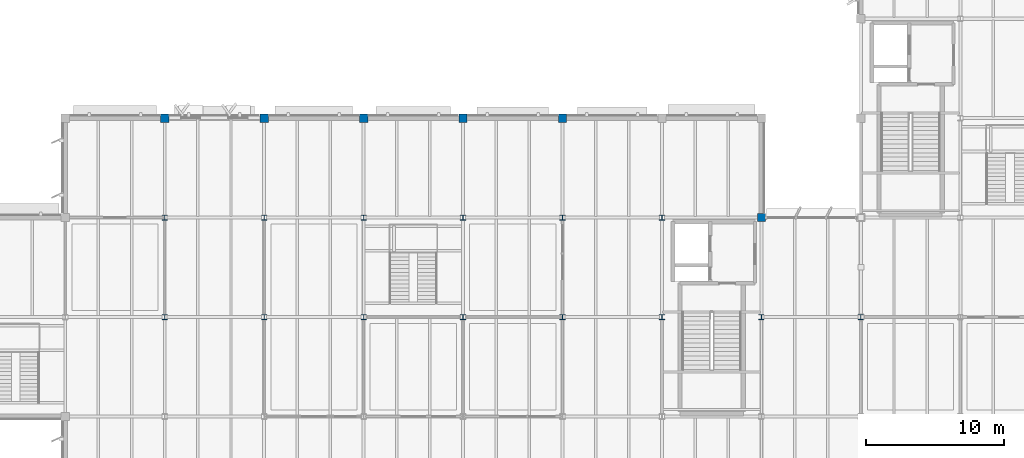
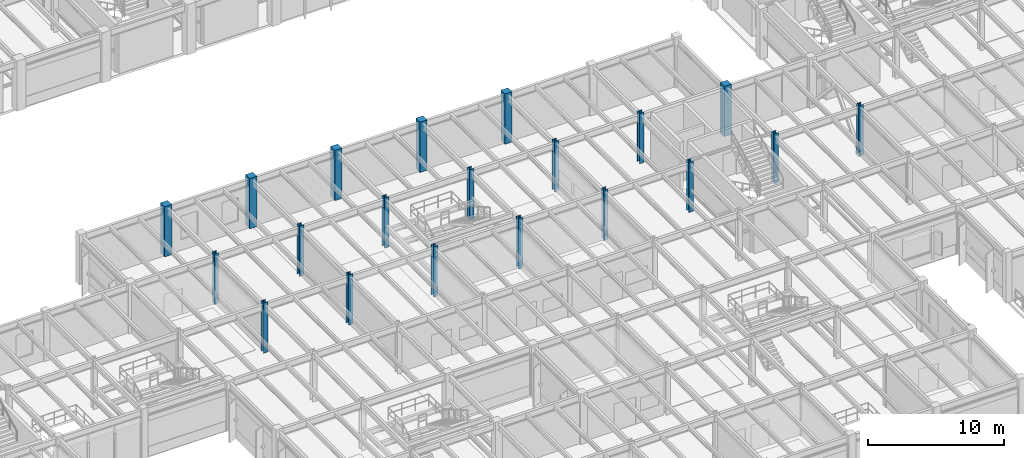
# One storey, part 7 of 92: 20 columns.
"""IFC4 building model written with IfcOpenShell, lengths in metres."""

from ifc_helpers import new_model, si_unit, direction, frame, origin, origin_2d, place, context, subcontext, project, spatial, rectangle, i_section, extrude, material, material_profile, profile_set, type_object, element, save


model = new_model("IFC4")

# Units and contexts
model_context = context("Model", 3, precision=1e-05, world=origin(), true_north=direction((0.0, 1.0)))
body_context = subcontext(model_context, "Body", "Model", "MODEL_VIEW")
ifc_project = project(units=[si_unit("LENGTHUNIT", "METRE"), si_unit("AREAUNIT", "SQUARE_METRE"), si_unit("VOLUMEUNIT", "CUBIC_METRE"), si_unit("PLANEANGLEUNIT", "RADIAN"), si_unit("MASSUNIT", "GRAM", prefix="KILO")], contexts=[model_context])

# Site, building, storey
site_placement = place(None, origin())
site = spatial("IfcSite", under=ifc_project, at=site_placement, CompositionType="ELEMENT")
building_placement = place(site_placement, origin())
building = spatial("IfcBuilding", under=site, at=building_placement, Name="Sillqori Civic Hall", CompositionType="ELEMENT")
storey_placement = place(building_placement, frame((0.0, 0.0, 5.39990234375)))
storey = spatial("IfcBuildingStorey", under=building, at=storey_placement, Name="L02", CompositionType="ELEMENT", Elevation=5.39990234375)

# Columns
ifc_material_1 = material(Name="Concrete C35/45 (H35)", Category="concrete")
ifc_material_profile_1 = material_profile(ifc_material_1, rectangle(XDim=0.60009765625, YDim=0.60009765625, at=origin_2d()), Name="RC 600x600")
ifc_profile_set_1 = profile_set([ifc_material_profile_1], Name="Concrete C35/45 (H35)")
column_type_1 = type_object("IfcColumnType", Name="COL-RC600", PredefinedType="COLUMN", material=ifc_profile_set_1)
for number, where, z_axis, x_axis, name in (
    (1, (72.0, 57.60009765625, 0.0), (0.0, 0.0, 1.0), (1.0, 0.0, 0.0), "L02 column 10-8"),
    (2, (79.199951171875, 57.60009765625, 0.0), (0.0, 0.0, 1.0), (1.0, 0.0, 0.0), "L02 column 11-8"),
    (3, (86.39990234375, 57.60009765625, 0.0), (0.0, 0.0, 1.0), (1.0, 0.0, 0.0), "L02 column 12-8"),
    (4, (93.60009765625, 57.60009765625, 0.0), (0.0, 0.0, 1.0), (1.0, 0.0, 0.0), "L02 column 13-8"),
    (5, (100.800048828125, 57.60009765625, 0.0), (0.0, 0.0, 1.0), (1.0, 0.0, 0.0), "L02 column 14-8"),
    (6, (115.199951171875, 50.39990234375, 0.0), (0.0, 0.0, 1.0), (1.0, 0.0, 0.0), "L02 column 16-7"),
):
    element("IfcColumn", number, at=place(storey_placement, frame(where, z_axis=z_axis, x_axis=x_axis)), inside=storey, type_object=column_type_1, Name=name, PredefinedType="COLUMN", context=body_context, shape_type="SweptSolid", body=[
        extrude(rectangle(XDim=0.60009765625, YDim=0.60009765625, at=origin_2d()), origin(), (0.0, 0.0, 1.0), 4.5),
    ])
ifc_material_2 = material(Name="Steel ASTM A992", Category="steel")
ifc_material_profile_2 = material_profile(ifc_material_2, i_section(OverallWidth=0.373046875, OverallDepth=0.367919921875, WebThickness=0.014892578125, FlangeThickness=0.02392578125, FilletRadius=0.014892578125, at=origin_2d()), Name="W14X120")
ifc_profile_set_2 = profile_set([ifc_material_profile_2], Name="Steel ASTM A992")
column_type_2 = type_object("IfcColumnType", Name="COL-W14X120", PredefinedType="COLUMN", material=ifc_profile_set_2)
for number, where, z_axis, x_axis, name in (
    (7, (72.0, 43.199951171875, 0.0), (0.0, 0.0, 1.0), (1.0, 0.0, 0.0), "L02 column 10-6"),
    (8, (72.0, 50.39990234375, 0.0), (0.0, 0.0, 1.0), (1.0, 0.0, 0.0), "L02 column 10-7"),
    (9, (79.199951171875, 43.199951171875, 0.0), (0.0, 0.0, 1.0), (1.0, 0.0, 0.0), "L02 column 11-6"),
    (10, (79.199951171875, 50.39990234375, 0.0), (0.0, 0.0, 1.0), (1.0, 0.0, 0.0), "L02 column 11-7"),
    (11, (86.39990234375, 43.199951171875, 0.0), (0.0, 0.0, 1.0), (1.0, 0.0, 0.0), "L02 column 12-6"),
    (12, (86.39990234375, 50.39990234375, 0.0), (0.0, 0.0, 1.0), (1.0, 0.0, 0.0), "L02 column 12-7"),
    (13, (93.60009765625, 43.199951171875, 0.0), (0.0, 0.0, 1.0), (1.0, 0.0, 0.0), "L02 column 13-6"),
    (14, (93.60009765625, 50.39990234375, 0.0), (0.0, 0.0, 1.0), (1.0, 0.0, 0.0), "L02 column 13-7"),
    (15, (100.800048828125, 43.199951171875, 0.0), (0.0, 0.0, 1.0), (1.0, 0.0, 0.0), "L02 column 14-6"),
    (16, (100.800048828125, 50.39990234375, 0.0), (0.0, 0.0, 1.0), (1.0, 0.0, 0.0), "L02 column 14-7"),
    (17, (108.0, 43.199951171875, 0.0), (0.0, 0.0, 1.0), (1.0, 0.0, 0.0), "L02 column 15-6"),
    (18, (108.0, 50.39990234375, 0.0), (0.0, 0.0, 1.0), (1.0, 0.0, 0.0), "L02 column 15-7"),
    (19, (115.199951171875, 43.199951171875, 0.0), (0.0, 0.0, 1.0), (1.0, 0.0, 0.0), "L02 column 16-6"),
    (20, (122.39990234375, 43.199951171875, 0.0), (0.0, 0.0, 1.0), (1.0, 0.0, 0.0), "L02 column 17-6"),
):
    element("IfcColumn", number, at=place(storey_placement, frame(where, z_axis=z_axis, x_axis=x_axis)), inside=storey, type_object=column_type_2, Name=name, PredefinedType="COLUMN", context=body_context, shape_type="SweptSolid", body=[
        extrude(i_section(OverallWidth=0.373046875, OverallDepth=0.367919921875, WebThickness=0.014892578125, FlangeThickness=0.02392578125, FilletRadius=0.014892578125, at=origin_2d()), origin(), (0.0, 0.0, 1.0), 4.5),
    ])

save(model, "model.ifc")
